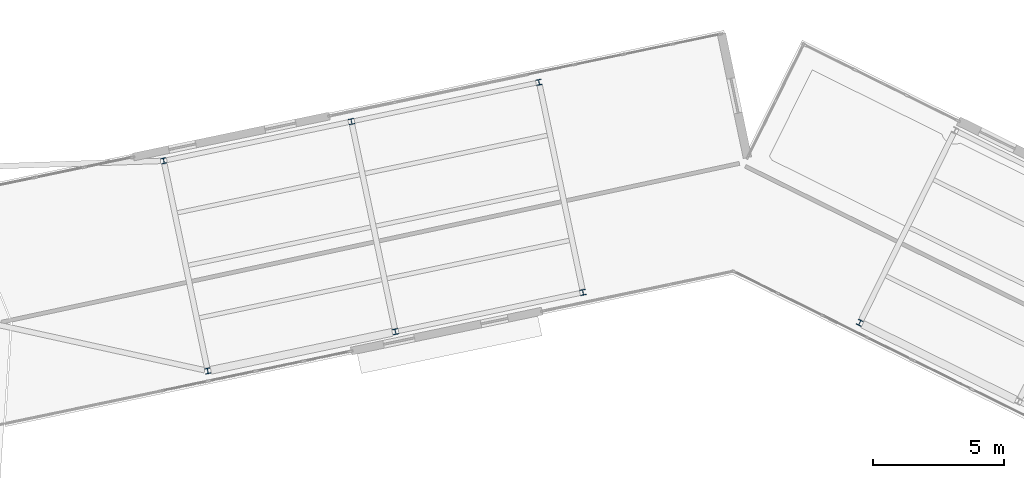
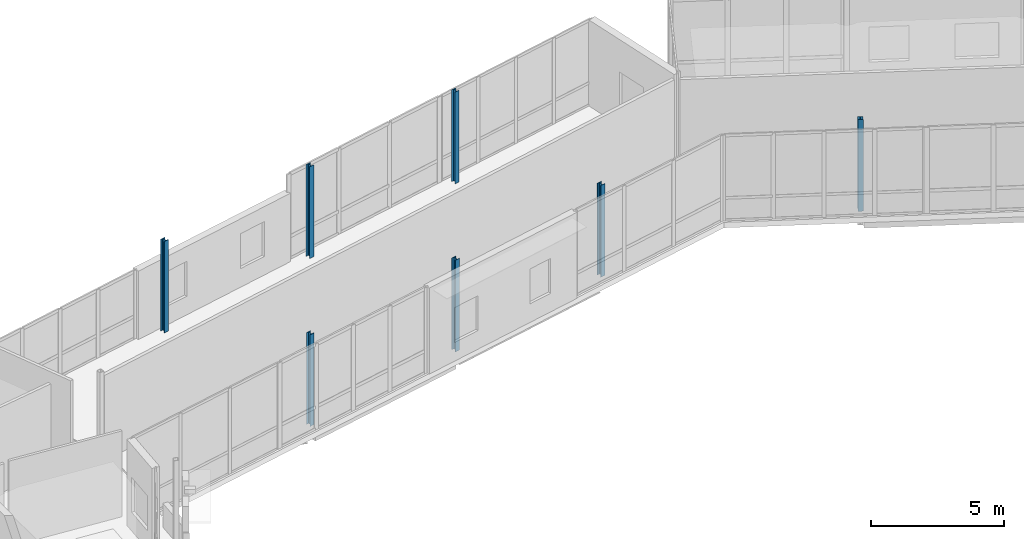
# One storey, part 17 of 125: 7 columns.
"""IFC4 building model written with IfcOpenShell, lengths in metres."""

from ifc_helpers import new_model, si_unit, direction, frame, origin, origin_2d, place, context, subcontext, project, spatial, i_section, extrude, material, material_profile, profile_set, type_object, element, save


model = new_model("IFC4")

# Units and contexts
model_context = context("Model", 3, precision=1e-05, world=origin(), true_north=direction((0.0, 1.0)))
body_context = subcontext(model_context, "Body", "Model", "MODEL_VIEW")
ifc_project = project(units=[si_unit("LENGTHUNIT", "METRE"), si_unit("AREAUNIT", "SQUARE_METRE"), si_unit("VOLUMEUNIT", "CUBIC_METRE"), si_unit("PLANEANGLEUNIT", "RADIAN"), si_unit("MASSUNIT", "GRAM", prefix="KILO")], contexts=[model_context])

# Site, building, storey
site_placement = place(None, origin())
site = spatial("IfcSite", under=ifc_project, at=site_placement, CompositionType="ELEMENT")
building_placement = place(site_placement, origin())
building = spatial("IfcBuilding", under=site, at=building_placement, Name="Wrenclough Park School", CompositionType="ELEMENT")
storey_placement = place(building_placement, frame((0.0, 0.0, 4.199951171875)))
storey = spatial("IfcBuildingStorey", under=building, at=storey_placement, Name="L01", CompositionType="ELEMENT", Elevation=4.199951171875)

# Columns
ifc_material = material(Name="Structural steel S355", Category="steel")
ifc_material_profile = material_profile(ifc_material, i_section(OverallWidth=0.205810546875, OverallDepth=0.209716796875, WebThickness=0.009521484375, FlangeThickness=0.01416015625, FilletRadius=0.01025390625, at=origin_2d()), Name="UKC 203x203x60")
ifc_profile_set = profile_set([ifc_material_profile], Name="Structural steel S355")
column_type = type_object("IfcColumnType", Name="STR-COL-UKC203B", PredefinedType="COLUMN", material=ifc_profile_set)
for number, where, z_axis, x_axis, name in (
    (1, (103.66015625, 117.012939453125, 0.0), (0.0, 0.0, 1.0), (0.978795946539, 0.204837728554, 0.0), "W45 L01 column W45-C1-L03"),
    (2, (105.33984375, 108.987060546875, 0.0), (0.0, 0.0, 1.0), (0.978795946539, 0.204837728554, 0.0), "W45 L01 column W45-C1-R03"),
    (3, (110.82666015625, 118.512939453125, 0.0), (0.0, 0.0, 1.0), (0.978795946539, 0.204837728554, 0.0), "W45 L01 column W45-C1-L04"),
    (4, (112.506591796875, 110.487060546875, 0.0), (0.0, 0.0, 1.0), (0.978795946539, 0.204837728554, 0.0), "W45 L01 column W45-C1-R04"),
    (5, (117.993408203125, 120.012939453125, 0.0), (0.0, 0.0, 1.0), (0.978795946539, 0.204837728554, 0.0), "W45 L01 column W45-C1-L05"),
    (6, (119.67333984375, 111.987060546875, 0.0), (0.0, 0.0, 1.0), (0.978795946539, 0.204837728554, 0.0), "W45 L01 column W45-C1-R05"),
    (7, (130.244140625, 110.8251953125, 0.0), (0.0, 0.0, 1.0), (0.896254315973, -0.443540529265, 0.0), "W45 L01 column W45-C2-R01"),
):
    element("IfcColumn", number, at=place(storey_placement, frame(where, z_axis=z_axis, x_axis=x_axis)), inside=storey, type_object=column_type, Name=name, PredefinedType="COLUMN", context=body_context, shape_type="SweptSolid", body=[
        extrude(i_section(OverallWidth=0.205810546875, OverallDepth=0.209716796875, WebThickness=0.009521484375, FlangeThickness=0.01416015625, FilletRadius=0.01025390625, at=origin_2d()), origin(), (0.0, 0.0, 1.0), 4.199951171875),
    ])

save(model, "model.ifc")
